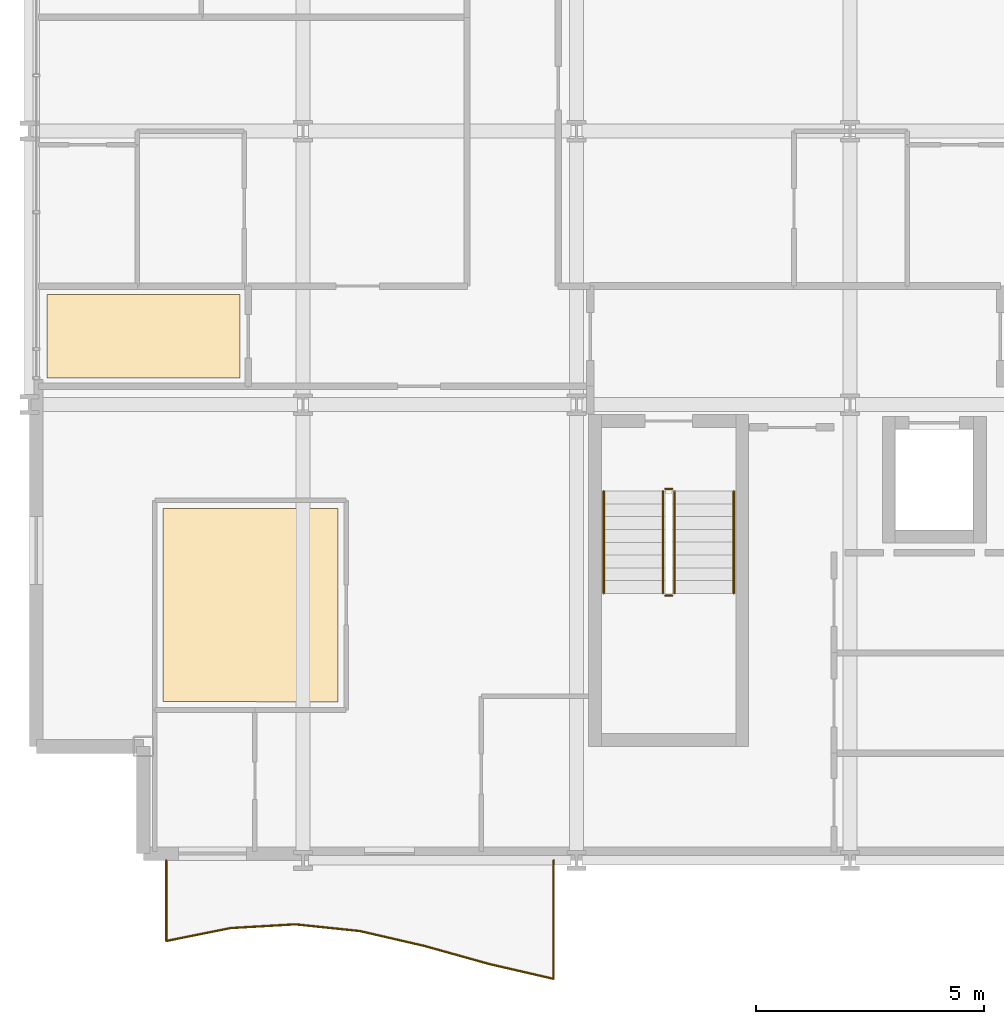
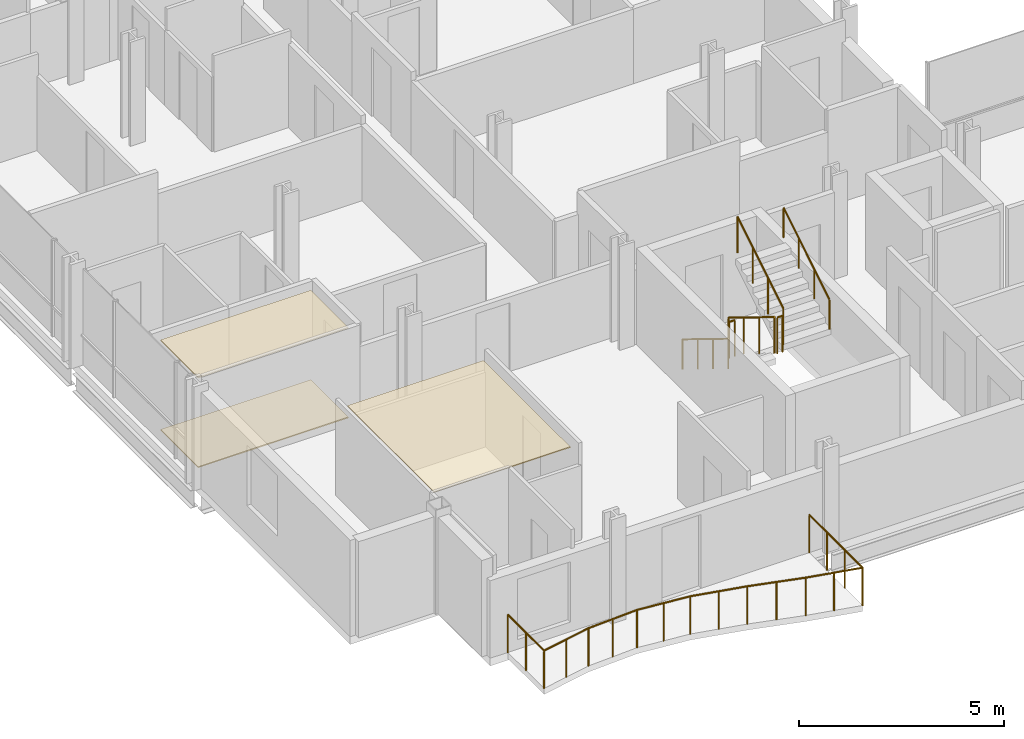
# One storey, part 38 of 41: 7 railings, 3 coverings.
"""IFC4 building model written with IfcOpenShell, lengths in metres."""

import ifcopenshell
import ifcopenshell.guid

model = None  # the IFC model being written
_history = None  # IfcOwnerHistory: only IFC2X3 demands one
_inside = {}  # id of a spatial element -> (the spatial element, [elements in it])
_under = {}  # id of a project, library or spatial element -> (it, [spatial elements below it])
_declared = {}  # id of a project -> (the project, [libraries it declares])
_typed = {}  # id of a type object -> (the type object, [elements of that type])
_made_of = {}  # id of a material, layer set ... -> (it, [elements and type objects made of it])


def new_model(schema):
    """Start an empty IFC model of exactly this schema.

    Asked for "IFC4X3", IfcOpenShell would pick the latest addendum, in which some entities
    have other attributes; the version numbers below select the first issue.
    IFC2X3 requires an IfcOwnerHistory on every rooted entity: one is made here for all.
    """
    global model, _history
    if schema == "IFC4X3":
        model = ifcopenshell.file(schema_version=(4, 3, 0, 0))
    else:
        model = ifcopenshell.file(schema=schema)
    _inside.clear()
    _under.clear()
    _declared.clear()
    _typed.clear()
    _made_of.clear()
    _history = None
    if model.schema == "IFC2X3":
        org = make("IfcOrganization", Name="unknown")
        user = make(
            "IfcPersonAndOrganization",
            ThePerson=make("IfcPerson", FamilyName="unknown"),
            TheOrganization=org,
        )
        app = make(
            "IfcApplication",
            ApplicationDeveloper=org,
            Version="unknown",
            ApplicationFullName="unknown",
            ApplicationIdentifier="unknown",
        )
        _history = make(
            "IfcOwnerHistory",
            OwningUser=user,
            OwningApplication=app,
            ChangeAction="ADDED",
            CreationDate=0,
        )
    return model


def make(cls, **values):
    """One entity of the class cls with the attributes given. An attribute that is None is left unset."""
    return model.create_entity(
        cls, **{name: value for name, value in values.items() if value is not None}
    )


def rooted(cls, **values):
    """An entity with a GlobalId (a new one), such as an element, a storey or a relation."""
    return make(cls, GlobalId=ifcopenshell.guid.new(), OwnerHistory=_history, **values)


def si_unit(unit_type, name, prefix=None):
    """IfcSIUnit, for example si_unit("LENGTHUNIT", "METRE", prefix="MILLI")."""
    return make("IfcSIUnit", UnitType=unit_type, Prefix=prefix, Name=name)


def assignment(units):
    """IfcUnitAssignment: the units of a project."""
    return None if units is None else make("IfcUnitAssignment", Units=units)


def point(xyz):
    """IfcCartesianPoint."""
    return None if xyz is None else make("IfcCartesianPoint", Coordinates=xyz)


def direction(xyz):
    """IfcDirection."""
    return None if xyz is None else make("IfcDirection", DirectionRatios=xyz)


def frame(location, z_axis=None, x_axis=None):
    """IfcAxis2Placement3D, a coordinate frame: its origin and axes. An axis left out is left unset."""
    return make(
        "IfcAxis2Placement3D",
        Location=point(location),
        Axis=direction(z_axis),
        RefDirection=direction(x_axis),
    )


def frame_2d(location, x_axis=None):
    """IfcAxis2Placement2D, a coordinate frame in the plane: its origin and x axis."""
    return make(
        "IfcAxis2Placement2D", Location=point(location), RefDirection=direction(x_axis)
    )


def origin():
    """The frame at (0, 0, 0) with its axes left unset."""
    return frame((0.0, 0.0, 0.0))


def origin_2d():
    """The frame at (0, 0) in the plane with its x axis left unset."""
    return frame_2d((0.0, 0.0))


def place(relative_to, where):
    """IfcLocalPlacement: puts the frame where relative to a parent placement (None: the world)."""
    return make(
        "IfcLocalPlacement", PlacementRelTo=relative_to, RelativePlacement=where
    )


def context(
    kind, dimensions, precision=None, world=None, true_north=None, identifier=None
):
    """IfcGeometricRepresentationContext, for example the 3D "Model" context."""
    return make(
        "IfcGeometricRepresentationContext",
        ContextIdentifier=identifier,
        ContextType=kind,
        CoordinateSpaceDimension=dimensions,
        Precision=precision,
        WorldCoordinateSystem=world,
        TrueNorth=true_north,
    )


def subcontext(parent, identifier, kind, view, scale=None):
    """IfcGeometricRepresentationSubContext, for example "Body" below "Model"."""
    return make(
        "IfcGeometricRepresentationSubContext",
        ContextIdentifier=identifier,
        ContextType=kind,
        ParentContext=parent,
        TargetScale=scale,
        TargetView=view,
    )


def project(units=None, contexts=None):
    """IfcProject with its units and contexts."""
    return rooted(
        "IfcProject",
        Name="project",
        RepresentationContexts=contexts,
        UnitsInContext=assignment(units),
    )


def spatial(cls, under=None, at=None, **own):
    """A site, building, storey or space (cls), placed at a placement, below another one or the project."""
    s = rooted(cls, ObjectPlacement=at, **own)
    if under is not None:
        _under.setdefault(under.id(), (under, []))[1].append(s)
    return s


def polyline(points):
    """IfcPolyline through the points."""
    return make("IfcPolyline", Points=[point(p) for p in points])


def profile(cls, at=None, kind="AREA", **sizes):
    """A parametric profile (cls). Its sizes go by their IFC names, for example OverallWidth=200.0."""
    return make(cls, ProfileType=kind, Position=at, **sizes)


def circle(**sizes):
    """IfcCircleProfileDef."""
    return profile("IfcCircleProfileDef", **sizes)


def outline(outer, holes=None, kind="AREA"):
    """IfcArbitraryClosedProfileDef: a profile drawn as a closed curve; with holes, ...WithVoids."""
    if holes is None:
        return make("IfcArbitraryClosedProfileDef", ProfileType=kind, OuterCurve=outer)
    return make(
        "IfcArbitraryProfileDefWithVoids",
        ProfileType=kind,
        OuterCurve=outer,
        InnerCurves=holes,
    )


def extrude(swept, where, along, depth):
    """IfcExtrudedAreaSolid: the profile swept, set in the frame where, extruded along a direction by depth."""
    return make(
        "IfcExtrudedAreaSolid",
        SweptArea=swept,
        Position=where,
        ExtrudedDirection=direction(along),
        Depth=depth,
    )


def shape(context_of_items, identifier, shape_type, items):
    """IfcShapeRepresentation: the items that make up one representation, for example the "Body"."""
    return make(
        "IfcShapeRepresentation",
        ContextOfItems=context_of_items,
        RepresentationIdentifier=identifier,
        RepresentationType=shape_type,
        Items=items,
    )


def material(Name=None, Category=None):
    """IfcMaterial."""
    return make("IfcMaterial", Name=Name, Category=Category)


def layer(
    of_material, thickness, ventilated=None, Name=None, Category=None, Priority=None
):
    """IfcMaterialLayer: one layer of a wall or slab, of a material (None: an air gap)."""
    return make(
        "IfcMaterialLayer",
        Material=of_material,
        LayerThickness=thickness,
        IsVentilated=ventilated,
        Name=Name,
        Category=Category,
        Priority=Priority,
    )


def layer_set(layers, Name=None):
    """IfcMaterialLayerSet."""
    return make("IfcMaterialLayerSet", MaterialLayers=layers, LayerSetName=Name)


def made_of(thing, what):
    """Note that an element or type object is made of a material, layer set ...; save() writes the relation."""
    if what is not None:
        _made_of.setdefault(what.id(), (what, []))[1].append(thing)
    return thing


def type_object(cls, material=None, **own):
    """A type object (cls), such as IfcWallType, which elements share."""
    return made_of(rooted(cls, **own), material)


def element(
    cls,
    number,
    at=None,
    inside=None,
    cuts=None,
    type_object=None,
    material=None,
    context=None,
    identifier="Body",
    shape_type=None,
    held_by="IfcProductDefinitionShape",
    body=None,
    shapes=None,
    **own,
):
    """One element of the class cls, such as IfcWall. Its Tag is "e" and its number.

    at: its placement. inside: the storey or other place that contains it. cuts: it is an
    opening in that element (IfcRelVoidsElement). A single representation is given by context,
    identifier, shape_type and body (its items); several are given by shapes. held_by: the class
    of the entity that holds the representations. save() writes the other relations.
    """
    e = rooted(cls, Tag="e%d" % number, ObjectPlacement=at, **own)
    if body is not None:
        shapes = [shape(context, identifier, shape_type, body)]
    if shapes is not None:
        e.Representation = make(held_by, Representations=shapes)
    if inside is not None:
        _inside.setdefault(inside.id(), (inside, []))[1].append(e)
    if cuts is not None:
        rooted(
            "IfcRelVoidsElement", RelatingBuildingElement=cuts, RelatedOpeningElement=e
        )
    if type_object is not None:
        _typed.setdefault(type_object.id(), (type_object, []))[1].append(e)
    return made_of(e, material)


def aggregate(whole, parts):
    """IfcRelAggregates: a whole, such as a stair, and the parts it consists of."""
    return rooted("IfcRelAggregates", RelatingObject=whole, RelatedObjects=parts)


def save(model, path):
    """Write the relations noted so far, then the file.

    IfcRelAggregates (storeys below a building ...), IfcRelContainedInSpatialStructure (elements
    in a storey), IfcRelDefinesByType, IfcRelAssociatesMaterial and IfcRelDeclares: one each for
    every whole, place, type object, material and project.
    """
    for whole, parts in _under.values():
        aggregate(whole, parts)
    for where, things in _inside.values():
        rooted(
            "IfcRelContainedInSpatialStructure",
            RelatedElements=things,
            RelatingStructure=where,
        )
    for kind, things in _typed.values():
        rooted("IfcRelDefinesByType", RelatedObjects=things, RelatingType=kind)
    for what, things in _made_of.values():
        rooted("IfcRelAssociatesMaterial", RelatedObjects=things, RelatingMaterial=what)
    for by, libraries in _declared.values():
        rooted("IfcRelDeclares", RelatingContext=by, RelatedDefinitions=libraries)
    model.write(path)


model = new_model("IFC4")

# Units and contexts
model_context = context("Model", 3, precision=1e-05, world=origin(), true_north=direction((0.0, 1.0)))
body_context = subcontext(model_context, "Body", "Model", "MODEL_VIEW")
ifc_project = project(units=[si_unit("LENGTHUNIT", "METRE"), si_unit("AREAUNIT", "SQUARE_METRE"), si_unit("VOLUMEUNIT", "CUBIC_METRE"), si_unit("PLANEANGLEUNIT", "RADIAN"), si_unit("MASSUNIT", "GRAM", prefix="KILO")], contexts=[model_context])

# Site, building, storey
site_placement = place(None, origin())
site = spatial("IfcSite", under=ifc_project, at=site_placement, CompositionType="ELEMENT")
building_placement = place(site_placement, origin())
building = spatial("IfcBuilding", under=site, at=building_placement, Name="Brevholm Reach", CompositionType="ELEMENT")
storey_placement = place(building_placement, frame((0.0, 0.0, 55.89990234375)))
storey = spatial("IfcBuildingStorey", under=building, at=storey_placement, Name="L15", CompositionType="ELEMENT", Elevation=55.89990234375)

# Coverings
ifc_material_1 = material(Name="Moisture-Resistant Skimmed Gypsum Plasterboard Ceiling", Category="gypsum")
ifc_layer_1 = layer(ifc_material_1, 0.030029296875)
ifc_layer_set_1 = layer_set([ifc_layer_1], Name="Moisture-Resistant Skimmed Gypsum Plasterboard Ceiling")
covering_type_1 = type_object("IfcCoveringType", Name="COV-CLG-GYP", PredefinedType="CEILING", material=ifc_layer_set_1)
covering_1_placement = place(storey_placement, frame((0.0, 0.0, 2.670166015625)))
element("IfcCovering", 1, at=covering_1_placement, inside=storey, type_object=covering_type_1, Name="L15 Suspended Ceiling L15-30", PredefinedType="CEILING", context=body_context, shape_type="SweptSolid", body=[
    extrude(outline(polyline([(2.929931640625, 7.719970703125), (6.77001953125, 7.719970703125), (6.77001953125, 3.47998046875), (4.984375, 3.47998046875), (4.982177734375, 3.48046875), (4.964599609375, 3.483154296875), (4.947021484375, 3.48388671875), (2.929931640625, 3.48388671875), (2.929931640625, 7.719970703125)])), origin(), (0.0, 0.0, 1.0), 0.030029296875),
])
covering_2_placement = place(storey_placement, frame((0.0, 0.0, 2.670166015625)))
element("IfcCovering", 2, at=covering_2_placement, inside=storey, type_object=covering_type_1, Name="L15 Suspended Ceiling L15-32", PredefinedType="CEILING", context=body_context, shape_type="SweptSolid", body=[
    extrude(outline(polyline([(0.3798828125, 12.419921875), (4.615966796875, 12.419921875), (4.615966796875, 10.583984375), (0.3798828125, 10.583984375), (0.3798828125, 12.419921875)])), origin(), (0.0, 0.0, 1.0), 0.030029296875),
])
ifc_material_2 = material(Name="Honed Portland-Aggregate Resin Terrazzo Flooring", Category="concrete")
ifc_layer_2 = layer(ifc_material_2, 0.031982421875)
ifc_layer_set_2 = layer_set([ifc_layer_2], Name="Honed Portland-Aggregate Resin Terrazzo Flooring")
covering_type_2 = type_object("IfcCoveringType", Name="COV-FLR-TRZ", PredefinedType="FLOORING", material=ifc_layer_set_2)
covering_3_placement = place(storey_placement, origin())
element("IfcCovering", 3, at=covering_3_placement, inside=storey, type_object=covering_type_2, Name="L15 Floor Finish L15-32", PredefinedType="FLOORING", context=body_context, shape_type="SweptSolid", body=[
    extrude(outline(polyline([(0.3798828125, 12.419921875), (4.615966796875, 12.419921875), (4.615966796875, 10.583984375), (0.3798828125, 10.583984375), (0.3798828125, 12.419921875)])), origin(), (0.0, 0.0, 1.0), 0.031982421875),
])

# Railings
ifc_material_3 = material(Name="Brushed Stainless Steel EN 1.4401 and Laminated Glass", Category="steel")
railing_type_1 = type_object("IfcRailingType", Name="RAL-BALC-1150", PredefinedType="BALUSTRADE", material=ifc_material_3)
railing_1_placement = place(storey_placement, frame((3.0, 0.0, 0.0)))
element("IfcRailing", 4, at=railing_1_placement, inside=storey, type_object=railing_type_1, Name="L15 Guard Balustrade RAL-L15-BAL-SW", PredefinedType="BALUSTRADE", context=body_context, shape_type="SweptSolid", body=[
    extrude(circle(Radius=0.02392578125, at=origin_2d()), frame((0.0, 0.0, 1.1259765625), z_axis=(0.0, -1.0, 0.0), x_axis=(1.0, 0.0, 0.0)), (0.0, 0.0, 1.0), 1.7685546875),
    extrude(circle(Radius=0.02392578125, at=origin_2d()), frame((0.0, -1.7685546875, 1.1259765625), z_axis=(0.980502614423, 0.196506038355, 0.0), x_axis=(-0.196506038355, 0.980502614423, 0.0)), (0.0, 0.0, 1.0), 1.44482421875),
    extrude(circle(Radius=0.02392578125, at=origin_2d()), frame((1.416748046875, -1.484619140625, 1.1259765625), z_axis=(0.998327360231, 0.057814200799, 0.0), x_axis=(-0.057814200799, 0.998327360231, 0.0)), (0.0, 0.0, 1.0), 1.4189453125),
    extrude(circle(Radius=0.02392578125, at=origin_2d()), frame((2.833251953125, -1.402587890625, 1.1259765625), z_axis=(0.994609205974, -0.103694394212, 0.0), x_axis=(0.103694394212, 0.994609205974, 0.0)), (0.0, 0.0, 1.0), 1.42431640625),
    extrude(circle(Radius=0.02392578125, at=origin_2d()), frame((4.25, -1.55029296875, 1.1259765625), z_axis=(0.974323236677, -0.225153792932, 0.0), x_axis=(0.225153792932, 0.974323236677, 0.0)), (0.0, 0.0, 1.0), 1.4541015625),
    extrude(circle(Radius=0.02392578125, at=origin_2d()), frame((5.666748046875, -1.877685546875, 1.1259765625), z_axis=(0.963289212232, -0.268465814578, 0.0), x_axis=(0.268465814578, 0.963289212232, 0.0)), (0.0, 0.0, 1.0), 1.470458984375),
    extrude(circle(Radius=0.02392578125, at=origin_2d()), frame((7.083251953125, -2.2724609375, 1.1259765625), z_axis=(0.974360057668, -0.224994395533, 0.0), x_axis=(0.224994395533, 0.974360057668, 0.0)), (0.0, 0.0, 1.0), 1.4541015625),
    extrude(circle(Radius=0.02392578125, at=origin_2d()), frame((8.5, -2.599609375, 1.1259765625), z_axis=(0.0, 1.0, 0.0), x_axis=(-1.0, 0.0, 0.0)), (0.0, 0.0, 1.0), 2.599609375),
    extrude(circle(Radius=0.02099609375, at=origin_2d()), origin(), (0.0, 0.0, 1.0), 1.101806640625),
    extrude(circle(Radius=0.02099609375, at=origin_2d()), frame((0.0, -0.88427734375, 0.0)), (0.0, 0.0, 1.0), 1.101806640625),
    extrude(circle(Radius=0.02099609375, at=origin_2d()), frame((0.0, -1.7685546875, 0.0)), (0.0, 0.0, 1.0), 1.101806640625),
    extrude(circle(Radius=0.02099609375, at=origin_2d()), frame((0.70849609375, -1.62646484375, 0.0)), (0.0, 0.0, 1.0), 1.101806640625),
    extrude(circle(Radius=0.02099609375, at=origin_2d()), frame((1.416748046875, -1.484619140625, 0.0)), (0.0, 0.0, 1.0), 1.101806640625),
    extrude(circle(Radius=0.02099609375, at=origin_2d()), frame((2.125, -1.443603515625, 0.0)), (0.0, 0.0, 1.0), 1.101806640625),
    extrude(circle(Radius=0.02099609375, at=origin_2d()), frame((2.833251953125, -1.402587890625, 0.0)), (0.0, 0.0, 1.0), 1.101806640625),
    extrude(circle(Radius=0.02099609375, at=origin_2d()), frame((3.54150390625, -1.4765625, 0.0)), (0.0, 0.0, 1.0), 1.101806640625),
    extrude(circle(Radius=0.02099609375, at=origin_2d()), frame((4.25, -1.55029296875, 0.0)), (0.0, 0.0, 1.0), 1.101806640625),
    extrude(circle(Radius=0.02099609375, at=origin_2d()), frame((4.95849609375, -1.7138671875, 0.0)), (0.0, 0.0, 1.0), 1.101806640625),
    extrude(circle(Radius=0.02099609375, at=origin_2d()), frame((5.666748046875, -1.877685546875, 0.0)), (0.0, 0.0, 1.0), 1.101806640625),
    extrude(circle(Radius=0.02099609375, at=origin_2d()), frame((6.375, -2.0751953125, 0.0)), (0.0, 0.0, 1.0), 1.101806640625),
    extrude(circle(Radius=0.02099609375, at=origin_2d()), frame((7.083251953125, -2.2724609375, 0.0)), (0.0, 0.0, 1.0), 1.101806640625),
    extrude(circle(Radius=0.02099609375, at=origin_2d()), frame((7.79150390625, -2.43603515625, 0.0)), (0.0, 0.0, 1.0), 1.101806640625),
    extrude(circle(Radius=0.02099609375, at=origin_2d()), frame((8.5, -2.599609375, 0.0)), (0.0, 0.0, 1.0), 1.101806640625),
    extrude(circle(Radius=0.02099609375, at=origin_2d()), frame((8.5, -1.733154296875, 0.0)), (0.0, 0.0, 1.0), 1.101806640625),
    extrude(circle(Radius=0.02099609375, at=origin_2d()), frame((8.5, -0.866455078125, 0.0)), (0.0, 0.0, 1.0), 1.101806640625),
    extrude(circle(Radius=0.02099609375, at=origin_2d()), frame((8.5, 0.0, 0.0)), (0.0, 0.0, 1.0), 1.101806640625),
])
ifc_material_4 = material(Name="Brushed Stainless Steel EN 1.4401 Continuous Handrail", Category="steel")
railing_type_2 = type_object("IfcRailingType", Name="RAL-HND-950", PredefinedType="HANDRAIL", material=ifc_material_4)
railing_2_placement = place(storey_placement, frame((12.60009765625, 8.10009765625, 0.17236328125)))
element("IfcRailing", 5, at=railing_2_placement, inside=storey, type_object=railing_type_2, Name="L15 ST-1 stair handrail 1", PredefinedType="HANDRAIL", context=body_context, shape_type="SweptSolid", body=[
    extrude(circle(Radius=0.02392578125, at=origin_2d()), frame((0.0, 0.0, 0.8857421875), z_axis=(0.0, -0.85178898068, 0.523885037382), x_axis=(1.0, 0.0, 0.0)), (0.0, 0.0, 1.0), 2.629638671875),
    extrude(circle(Radius=0.02099609375, at=origin_2d()), origin(), (0.0, 0.0, 1.0), 0.86181640625),
    extrude(circle(Radius=0.02099609375, at=origin_2d()), frame((0.0, -0.74658203125, 0.459228515625)), (0.0, 0.0, 1.0), 0.86181640625),
    extrude(circle(Radius=0.02099609375, at=origin_2d()), frame((0.0, -1.493408203125, 0.91845703125)), (0.0, 0.0, 1.0), 0.86181640625),
    extrude(circle(Radius=0.02099609375, at=origin_2d()), frame((0.0, -2.239990234375, 1.377685546875)), (0.0, 0.0, 1.0), 0.86181640625),
])
railing_3_placement = place(storey_placement, frame((15.449951171875, 5.860107421875, 1.722412109375)))
element("IfcRailing", 6, at=railing_3_placement, inside=storey, type_object=railing_type_2, Name="L15 ST-1 stair handrail 2", PredefinedType="HANDRAIL", context=body_context, shape_type="SweptSolid", body=[
    extrude(circle(Radius=0.02392578125, at=origin_2d()), frame((0.0, 0.0, 0.8857421875), z_axis=(0.0, 0.85178898068, 0.523885037382), x_axis=(-1.0, 0.0, 0.0)), (0.0, 0.0, 1.0), 2.629638671875),
    extrude(circle(Radius=0.02099609375, at=origin_2d()), origin(), (0.0, 0.0, 1.0), 0.86181640625),
    extrude(circle(Radius=0.02099609375, at=origin_2d()), frame((0.0, 0.74658203125, 0.459228515625)), (0.0, 0.0, 1.0), 0.86181640625),
    extrude(circle(Radius=0.02099609375, at=origin_2d()), frame((0.0, 1.493408203125, 0.91845703125)), (0.0, 0.0, 1.0), 0.86181640625),
    extrude(circle(Radius=0.02099609375, at=origin_2d()), frame((0.0, 2.239990234375, 1.377685546875)), (0.0, 0.0, 1.0), 0.86181640625),
])
ifc_material_5 = material(Name="Painted Tubular Galvanised Steel S275JR Stair Guard", Category="steel")
railing_type_3 = type_object("IfcRailingType", Name="RAL-STG-1120", PredefinedType="BALUSTRADE", material=ifc_material_5)
railing_4_placement = place(storey_placement, frame((13.89990234375, 8.10009765625, 0.17236328125)))
element("IfcRailing", 7, at=railing_4_placement, inside=storey, type_object=railing_type_3, Name="L15 ST-1 stair guard 1", PredefinedType="BALUSTRADE", context=body_context, shape_type="SweptSolid", body=[
    extrude(circle(Radius=0.02392578125, at=origin_2d()), frame((0.0, 0.0, 1.076171875), z_axis=(0.0, -0.85178898068, 0.523885037382), x_axis=(1.0, 0.0, 0.0)), (0.0, 0.0, 1.0), 2.629638671875),
    extrude(circle(Radius=0.02099609375, at=origin_2d()), origin(), (0.0, 0.0, 1.0), 1.052001953125),
    extrude(circle(Radius=0.02099609375, at=origin_2d()), frame((0.0, -0.74658203125, 0.459228515625)), (0.0, 0.0, 1.0), 1.052001953125),
    extrude(circle(Radius=0.02099609375, at=origin_2d()), frame((0.0, -1.493408203125, 0.91845703125)), (0.0, 0.0, 1.0), 1.052001953125),
    extrude(circle(Radius=0.02099609375, at=origin_2d()), frame((0.0, -2.239990234375, 1.377685546875)), (0.0, 0.0, 1.0), 1.052001953125),
])
railing_5_placement = place(storey_placement, frame((13.949951171875, 5.81005859375, 1.550048828125)))
element("IfcRailing", 8, at=railing_5_placement, inside=storey, type_object=railing_type_3, Name="L15 ST-1 stair guard 2", PredefinedType="BALUSTRADE", context=body_context, shape_type="SweptSolid", body=[
    extrude(circle(Radius=0.02392578125, at=origin_2d()), frame((0.0, 0.0, 1.076171875), z_axis=(1.0, 0.0, 0.0), x_axis=(0.0, 1.0, 0.0)), (0.0, 0.0, 1.0), 0.150146484375),
    extrude(circle(Radius=0.02099609375, at=origin_2d()), origin(), (0.0, 0.0, 1.0), 1.052001953125),
    extrude(circle(Radius=0.02099609375, at=origin_2d()), frame((0.150146484375, 0.0, 0.0)), (0.0, 0.0, 1.0), 1.052001953125),
])
railing_6_placement = place(storey_placement, frame((14.14990234375, 5.860107421875, 1.722412109375)))
element("IfcRailing", 9, at=railing_6_placement, inside=storey, type_object=railing_type_3, Name="L15 ST-1 stair guard 3", PredefinedType="BALUSTRADE", context=body_context, shape_type="SweptSolid", body=[
    extrude(circle(Radius=0.02392578125, at=origin_2d()), frame((0.0, 0.0, 1.076171875), z_axis=(0.0, 0.85178898068, 0.523885037382), x_axis=(-1.0, 0.0, 0.0)), (0.0, 0.0, 1.0), 2.629638671875),
    extrude(circle(Radius=0.02099609375, at=origin_2d()), origin(), (0.0, 0.0, 1.0), 1.052001953125),
    extrude(circle(Radius=0.02099609375, at=origin_2d()), frame((0.0, 0.74658203125, 0.459228515625)), (0.0, 0.0, 1.0), 1.052001953125),
    extrude(circle(Radius=0.02099609375, at=origin_2d()), frame((0.0, 1.493408203125, 0.91845703125)), (0.0, 0.0, 1.0), 1.052001953125),
    extrude(circle(Radius=0.02099609375, at=origin_2d()), frame((0.0, 2.239990234375, 1.377685546875)), (0.0, 0.0, 1.0), 1.052001953125),
])
railing_7_placement = place(storey_placement, frame((13.949951171875, 8.14990234375, 0.0)))
element("IfcRailing", 10, at=railing_7_placement, inside=storey, type_object=railing_type_3, Name="L15 ST-1 stair guard 4", PredefinedType="BALUSTRADE", context=body_context, shape_type="SweptSolid", body=[
    extrude(circle(Radius=0.02392578125, at=origin_2d()), frame((0.0, 0.0, 1.076171875), z_axis=(1.0, 0.0, 0.0), x_axis=(0.0, 1.0, 0.0)), (0.0, 0.0, 1.0), 0.150146484375),
    extrude(circle(Radius=0.02099609375, at=origin_2d()), origin(), (0.0, 0.0, 1.0), 1.052001953125),
    extrude(circle(Radius=0.02099609375, at=origin_2d()), frame((0.150146484375, 0.0, 0.0)), (0.0, 0.0, 1.0), 1.052001953125),
])

save(model, "model.ifc")
